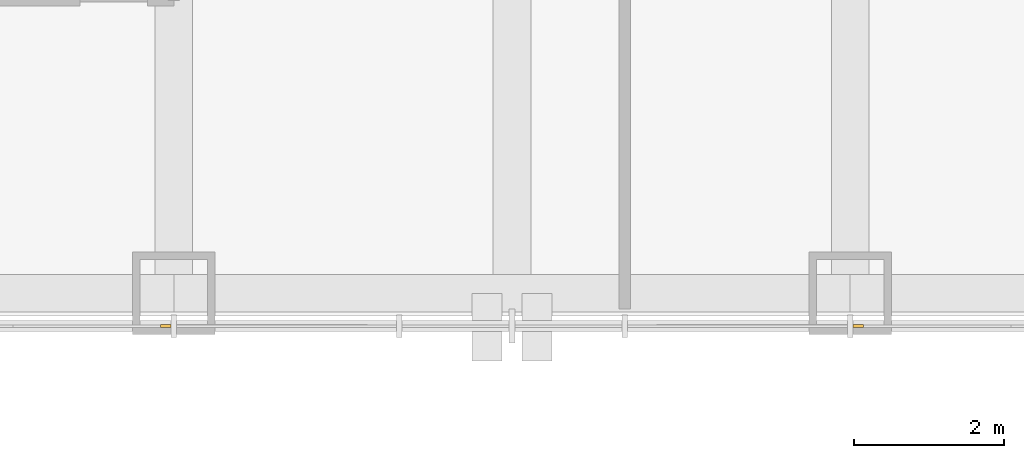
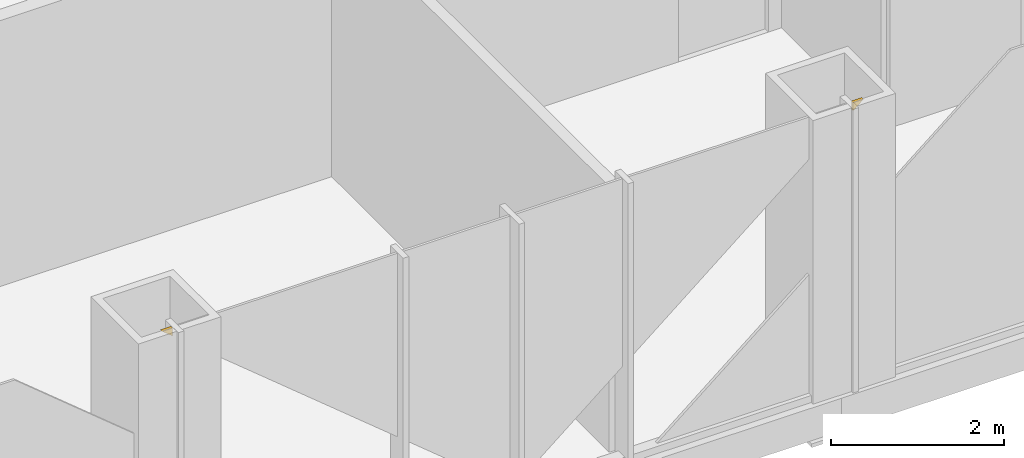
# One storey, part 14 of 17: 2 coverings.
"""IFC4 building model written with IfcOpenShell, lengths in metres."""

from ifc_helpers import new_model, si_unit, direction, frame, origin, place, context, subcontext, project, spatial, polyline, outline, extrude, material, layer, layer_set, type_object, element, save


model = new_model("IFC4")

# Units and contexts
model_context = context("Model", 3, precision=1e-05, world=origin(), true_north=direction((0.0, 1.0)))
body_context = subcontext(model_context, "Body", "Model", "MODEL_VIEW")
ifc_project = project(units=[si_unit("LENGTHUNIT", "METRE"), si_unit("AREAUNIT", "SQUARE_METRE"), si_unit("VOLUMEUNIT", "CUBIC_METRE"), si_unit("PLANEANGLEUNIT", "RADIAN"), si_unit("MASSUNIT", "GRAM", prefix="KILO")], contexts=[model_context])

# Site, building, storey
site_placement = place(None, origin())
site = spatial("IfcSite", under=ifc_project, at=site_placement, CompositionType="ELEMENT")
building_placement = place(site_placement, origin())
building = spatial("IfcBuilding", under=site, at=building_placement, Name="Malebo Sky Hospital", CompositionType="ELEMENT")
storey_placement = place(building_placement, frame((0.0, 0.0, 120.0)))
storey = spatial("IfcBuildingStorey", under=building, at=storey_placement, Name="L28", CompositionType="ELEMENT", Elevation=120.0)

# Coverings
ifc_material = material(Name="Anodised aluminium, natural silver insulated infill panel", Category="aluminium")
ifc_layer = layer(ifc_material, 0.0400390625)
ifc_layer_set = layer_set([ifc_layer], Name="BRACE INFILL PANEL 40")
covering_type = type_object("IfcCoveringType", Name="BRACE INFILL PANEL 40", PredefinedType="CLADDING", material=ifc_layer_set)
covering_1_placement = place(storey_placement, frame((64.607177734375, 37.864990234375, 3.87548828125), z_axis=(0.0, 0.0, 1.0), x_axis=(-1.0, 0.0, 0.0)))
element("IfcCovering", 1, at=covering_1_placement, inside=storey, type_object=covering_type, Name="Brace infill panel 6.1", PredefinedType="CLADDING", context=body_context, shape_type="SweptSolid", body=[
    extrude(outline(polyline([(0.069580078125, 0.0), (0.069580078125, 0.114501953125), (-0.069580078125, 0.114501953125), (0.069580078125, 0.0)])), frame((0.0, 0.02001953125, 0.0), z_axis=(0.0, -1.0, 0.0), x_axis=(1.0, 0.0, 0.0)), (0.0, 0.0, 1.0), 0.0400390625),
])
covering_2_placement = place(storey_placement, frame((55.392822265625, 37.864990234375, 3.87548828125), z_axis=(0.0, 0.0, 1.0), x_axis=(-1.0, 0.0, 0.0)))
element("IfcCovering", 2, at=covering_2_placement, inside=storey, type_object=covering_type, Name="Brace infill panel 11.1", PredefinedType="CLADDING", context=body_context, shape_type="SweptSolid", body=[
    extrude(outline(polyline([(-0.069580078125, 0.0), (0.069580078125, 0.114501953125), (-0.069580078125, 0.114501953125), (-0.069580078125, 0.0)])), frame((0.0, 0.02001953125, 0.0), z_axis=(0.0, -1.0, 0.0), x_axis=(1.0, 0.0, 0.0)), (0.0, 0.0, 1.0), 0.0400390625),
])

save(model, "model.ifc")
